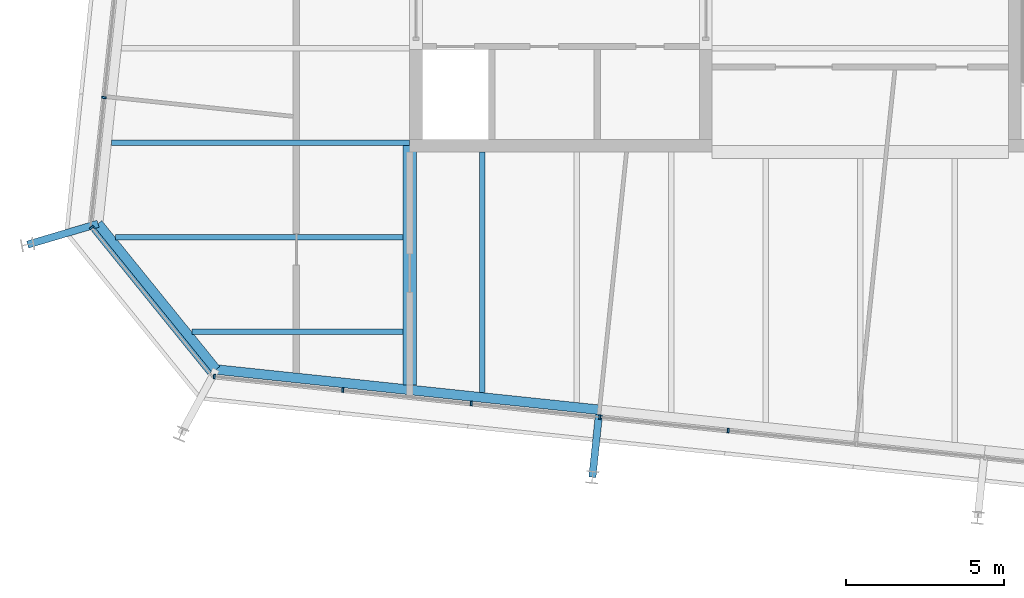
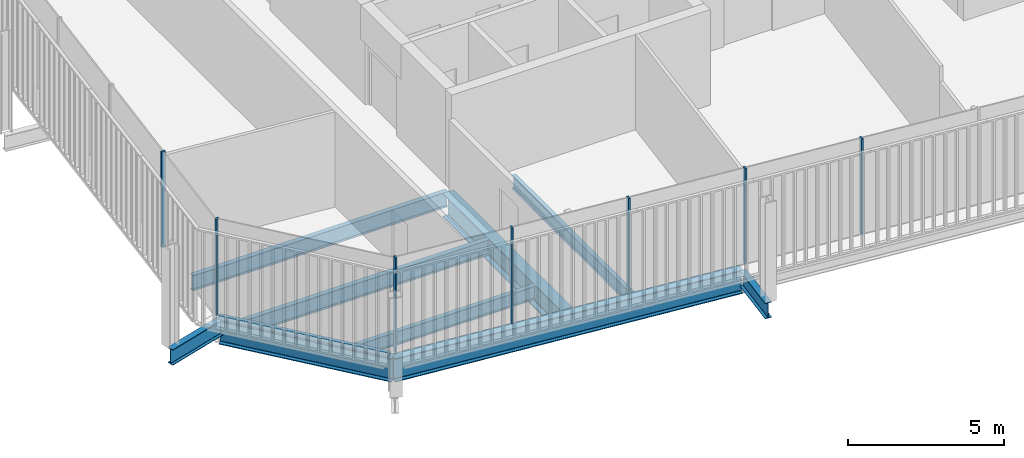
# One storey, part 3 of 20: 9 beams, 8 members, 3 elements without a shape of their own.
"""IFC4 building model written with IfcOpenShell, lengths in metres."""

from ifc_helpers import new_model, si_unit, direction, frame, origin, origin_2d, place, context, subcontext, project, spatial, rectangle, i_section, extrude, material, layer, layer_set, material_profile, profile_set, type_object, element, aggregate, save


model = new_model("IFC4")

# Units and contexts
model_context = context("Model", 3, precision=1e-05, world=origin(), true_north=direction((0.0, 1.0)))
body_context = subcontext(model_context, "Body", "Model", "MODEL_VIEW")
ifc_project = project(units=[si_unit("LENGTHUNIT", "METRE"), si_unit("AREAUNIT", "SQUARE_METRE"), si_unit("VOLUMEUNIT", "CUBIC_METRE"), si_unit("PLANEANGLEUNIT", "RADIAN"), si_unit("MASSUNIT", "GRAM", prefix="KILO")], contexts=[model_context])

# Site, building, storey
site_placement = place(None, origin())
site = spatial("IfcSite", under=ifc_project, at=site_placement, CompositionType="ELEMENT")
building_placement = place(site_placement, origin())
building = spatial("IfcBuilding", under=site, at=building_placement, Name="Millrace Tower", CompositionType="ELEMENT")
storey_placement = place(building_placement, frame((0.0, 0.0, 287.699951171875)))
storey = spatial("IfcBuildingStorey", under=building, at=storey_placement, Name="L66", CompositionType="ELEMENT", Elevation=287.699951171875)

# Curtain wall, member
ifc_material_1 = material(Name="Aluminium and glass", Category="aluminium")
ifc_layer = layer(ifc_material_1, 0.14990234375)
ifc_layer_set = layer_set([ifc_layer], Name="Aluminium and glass")
curtain_wall_type = type_object("IfcCurtainWallType", Name="CW-1 office vision curtain wall", PredefinedType="NOTDEFINED", material=ifc_layer_set)
placement = place(storey_placement, origin())
curtain_wall_1 = element("IfcCurtainWall", 1, at=placement, inside=storey, type_object=curtain_wall_type, Name="Curtain wall E-F01 L66", PredefinedType="NOTDEFINED")
ifc_material_2 = material(Name="Aluminium", Category="aluminium")
ifc_material_profile_1 = material_profile(ifc_material_2, rectangle(XDim=0.06494140625, YDim=0.14990234375, at=origin_2d()))
ifc_profile_set_1 = profile_set([ifc_material_profile_1], Name="Aluminium")
member_type_1 = type_object("IfcMemberType", Name="CW-1 office vision curtain wall mullion", PredefinedType="MULLION", material=ifc_profile_set_1)
member_1_placement = place(storey_placement, frame((-24.391845703125, -11.693359375, 0.14013671875), z_axis=(0.0, 0.0, 1.0), x_axis=(0.629320278945, -0.777146052237, 0.0)))
member_1 = element("IfcMember", 2, at=member_1_placement, type_object=member_type_1, Name="CW1 mullion E-F01.1", PredefinedType="MULLION", context=body_context, shape_type="SweptSolid", body=[
    extrude(rectangle(XDim=0.06494140625, YDim=0.14990234375, at=origin_2d()), origin(), (0.0, 0.0, 1.0), 3.760009765625),
])

# Curtain wall, members
curtain_wall_2 = element("IfcCurtainWall", 3, at=placement, inside=storey, type_object=curtain_wall_type, Name="Curtain wall E-F02 L66", PredefinedType="NOTDEFINED")
member_2_placement = place(storey_placement, frame((-20.50244140625, -16.4248046875, 0.14013671875), z_axis=(0.0, 0.0, 1.0), x_axis=(0.994521896217, -0.104528455196, 0.0)))
member_2 = element("IfcMember", 4, at=member_2_placement, type_object=member_type_1, Name="CW1 mullion E-F02.1", PredefinedType="MULLION", context=body_context, shape_type="SweptSolid", body=[
    extrude(rectangle(XDim=0.06494140625, YDim=0.14990234375, at=origin_2d()), origin(), (0.0, 0.0, 1.0), 3.760009765625),
])
member_3_placement = place(storey_placement, frame((-16.425048828125, -16.853271484375, 0.14013671875), z_axis=(0.0, 0.0, 1.0), x_axis=(0.994521896217, -0.104528455196, 0.0)))
member_3 = element("IfcMember", 5, at=member_3_placement, type_object=member_type_1, Name="CW1 mullion E-F02.2", PredefinedType="MULLION", context=body_context, shape_type="SweptSolid", body=[
    extrude(rectangle(XDim=0.06494140625, YDim=0.14990234375, at=origin_2d()), origin(), (0.0, 0.0, 1.0), 3.760009765625),
])
member_4_placement = place(storey_placement, frame((-12.347412109375, -17.281982421875, 0.14013671875), z_axis=(0.0, 0.0, 1.0), x_axis=(0.994521896217, -0.104528455196, 0.0)))
member_4 = element("IfcMember", 6, at=member_4_placement, type_object=member_type_1, Name="CW1 mullion E-F02.3", PredefinedType="MULLION", context=body_context, shape_type="SweptSolid", body=[
    extrude(rectangle(XDim=0.06494140625, YDim=0.14990234375, at=origin_2d()), origin(), (0.0, 0.0, 1.0), 3.760009765625),
])
member_5_placement = place(storey_placement, frame((-8.269775390625, -17.71044921875, 0.14013671875), z_axis=(0.0, 0.0, 1.0), x_axis=(0.994521896217, -0.104528455196, 0.0)))
member_5 = element("IfcMember", 7, at=member_5_placement, type_object=member_type_1, Name="CW1 mullion E-F02.4", PredefinedType="MULLION", context=body_context, shape_type="SweptSolid", body=[
    extrude(rectangle(XDim=0.06494140625, YDim=0.14990234375, at=origin_2d()), origin(), (0.0, 0.0, 1.0), 3.760009765625),
])
member_6_placement = place(storey_placement, frame((-4.1923828125, -18.13916015625, 0.14013671875), z_axis=(0.0, 0.0, 1.0), x_axis=(0.994521896217, -0.104528455196, 0.0)))
member_6 = element("IfcMember", 8, at=member_6_placement, type_object=member_type_1, Name="CW1 mullion E-F02.5", PredefinedType="MULLION", context=body_context, shape_type="SweptSolid", body=[
    extrude(rectangle(XDim=0.06494140625, YDim=0.14990234375, at=origin_2d()), origin(), (0.0, 0.0, 1.0), 3.760009765625),
])
aggregate(curtain_wall_2, [member_2, member_3, member_4, member_5, member_6])

# Curtain wall, member
curtain_wall_3 = element("IfcCurtainWall", 9, at=placement, inside=storey, type_object=curtain_wall_type, Name="Curtain wall E-F08 L66", PredefinedType="NOTDEFINED")
member_7_placement = place(storey_placement, frame((-24.00341796875, -7.56787109375, 0.14013671875), z_axis=(0.0, 0.0, 1.0), x_axis=(-0.104528455196, -0.994521896217, 0.0)))
member_7 = element("IfcMember", 10, at=member_7_placement, type_object=member_type_1, Name="CW1 mullion E-F08.9", PredefinedType="MULLION", context=body_context, shape_type="SweptSolid", body=[
    extrude(rectangle(XDim=0.06494140625, YDim=0.14990234375, at=origin_2d()), origin(), (0.0, 0.0, 1.0), 3.760009765625),
])
aggregate(curtain_wall_3, [member_7])

# Member
ifc_material_3 = material(Name="Aluminium", Category="aluminium")
ifc_material_profile_2 = material_profile(ifc_material_3, rectangle(XDim=0.14990234375, YDim=0.139892578125, at=origin_2d()))
ifc_profile_set_2 = profile_set([ifc_material_profile_2], Name="Aluminium")
member_type_2 = type_object("IfcMemberType", Name="CW-1 office vision curtain wall transom", PredefinedType="USERDEFINED", material=ifc_profile_set_2)
member_8_placement = place(storey_placement, frame((-24.349365234375, -11.745849609375, 0.070068359375), z_axis=(0.629321221277, -0.777145289151, 0.0), x_axis=(0.777145289151, 0.629321221277, 0.0)))
member_8 = element("IfcMember", 11, at=member_8_placement, type_object=member_type_2, Name="CW1 transom E-F01.1", ObjectType="TRANSOM", PredefinedType="USERDEFINED", context=body_context, shape_type="SweptSolid", body=[
    extrude(rectangle(XDim=0.14990234375, YDim=0.139892578125, at=origin_2d()), origin(), (0.0, 0.0, 1.0), 5.881103515625),
])

aggregate(curtain_wall_1, [member_1, member_8])

# Beams
ifc_material_4 = material(Name="Steel ASTM A992 Grade 50", Category="steel")
ifc_material_profile_3 = material_profile(ifc_material_4, i_section(OverallWidth=0.1650390625, OverallDepth=0.52587890625, WebThickness=0.0087890625, FlangeThickness=0.011474609375, FilletRadius=0.0126953125, at=origin_2d()))
ifc_profile_set_3 = profile_set([ifc_material_profile_3], Name="Steel ASTM A992 Grade 50")
beam_type_1 = type_object("IfcBeamType", Name="Floor beam W21x44", PredefinedType="JOIST", material=ifc_profile_set_3)
beam_1_placement = place(storey_placement, frame((-12.0, -16.93408203125, -0.4228515625), z_axis=(0.0, 1.0, 0.0), x_axis=(-1.0, 0.0, 0.0)))
element("IfcBeam", 12, at=beam_1_placement, inside=storey, type_object=beam_type_1, Name="BM-E-L66-S1-S037", PredefinedType="JOIST", context=body_context, shape_type="SweptSolid", body=[
    extrude(i_section(OverallWidth=0.1650390625, OverallDepth=0.52587890625, WebThickness=0.0087890625, FlangeThickness=0.011474609375, FilletRadius=0.0126953125, at=origin_2d()), origin(), (0.0, 0.0, 1.0), 7.634033203125),
])
beam_2_placement = place(storey_placement, frame((-21.214111328125, -15.0, -0.4228515625), z_axis=(1.0, 0.0, 0.0), x_axis=(0.0, 1.0, 0.0)))
element("IfcBeam", 13, at=beam_2_placement, inside=storey, type_object=beam_type_1, Name="BM-E-L66-S1-S002", PredefinedType="JOIST", context=body_context, shape_type="SweptSolid", body=[
    extrude(i_section(OverallWidth=0.1650390625, OverallDepth=0.52587890625, WebThickness=0.0087890625, FlangeThickness=0.011474609375, FilletRadius=0.0126953125, at=origin_2d()), origin(), (0.0, 0.0, 1.0), 6.70458984375),
])
ifc_material_5 = material(Name="Steel ASTM A992 Grade 50", Category="steel")
ifc_material_profile_4 = material_profile(ifc_material_5, i_section(OverallWidth=0.177978515625, OverallDepth=0.599365234375, WebThickness=0.010009765625, FlangeThickness=0.012939453125, FilletRadius=0.012939453125, at=origin_2d()))
ifc_profile_set_4 = profile_set([ifc_material_profile_4], Name="Steel ASTM A992 Grade 50")
beam_type_2 = type_object("IfcBeamType", Name="Floor beam W24x55", PredefinedType="JOIST", material=ifc_profile_set_4)
beam_3_placement = place(storey_placement, frame((-23.76953125, -9.0, -0.459716796875), z_axis=(1.0, 0.0, 0.0), x_axis=(0.0, 1.0, 0.0)))
element("IfcBeam", 14, at=beam_3_placement, inside=storey, type_object=beam_type_2, Name="BM-E-L66-S1-S006", PredefinedType="JOIST", context=body_context, shape_type="SweptSolid", body=[
    extrude(i_section(OverallWidth=0.177978515625, OverallDepth=0.599365234375, WebThickness=0.010009765625, FlangeThickness=0.012939453125, FilletRadius=0.012939453125, at=origin_2d()), origin(), (0.0, 0.0, 1.0), 9.469482421875),
])
beam_4_placement = place(storey_placement, frame((-23.635498046875, -12.0, -0.459716796875), z_axis=(1.0, 0.0, 0.0), x_axis=(0.0, 1.0, 0.0)))
element("IfcBeam", 15, at=beam_4_placement, inside=storey, type_object=beam_type_2, Name="BM-E-L66-S1-S004", PredefinedType="JOIST", context=body_context, shape_type="SweptSolid", body=[
    extrude(i_section(OverallWidth=0.177978515625, OverallDepth=0.599365234375, WebThickness=0.010009765625, FlangeThickness=0.012939453125, FilletRadius=0.012939453125, at=origin_2d()), origin(), (0.0, 0.0, 1.0), 9.1259765625),
])
ifc_material_6 = material(Name="Steel ASTM A992 Grade 50", Category="steel")
ifc_material_profile_5 = material_profile(ifc_material_6, i_section(OverallWidth=0.419189453125, OverallDepth=0.927001953125, WebThickness=0.019287109375, FlangeThickness=0.031982421875, FilletRadius=0.024169921875, at=origin_2d()))
ifc_profile_set_5 = profile_set([ifc_material_profile_5], Name="Steel ASTM A992 Grade 50")
beam_type_3 = type_object("IfcBeamType", Name="Girder short span W36x231", PredefinedType="BEAM", material=ifc_profile_set_5)
beam_5_placement = place(storey_placement, frame((-14.300048828125, -16.6923828125, -0.62353515625), z_axis=(0.0, 1.0, 0.0), x_axis=(-1.0, 0.0, 0.0)))
element("IfcBeam", 16, at=beam_5_placement, inside=storey, type_object=beam_type_3, Name="BM-E-L66-S1-G055", PredefinedType="BEAM", context=body_context, shape_type="SweptSolid", body=[
    extrude(i_section(OverallWidth=0.419189453125, OverallDepth=0.927001953125, WebThickness=0.019287109375, FlangeThickness=0.031982421875, FilletRadius=0.024169921875, at=origin_2d()), origin(), (0.0, 0.0, 1.0), 7.600341796875),
])
ifc_material_7 = material(Name="Steel ASTM A992 Grade 50", Category="steel")
ifc_material_profile_6 = material_profile(ifc_material_7, i_section(OverallWidth=0.23046875, OverallDepth=0.6171875, WebThickness=0.01318359375, FlangeThickness=0.022216796875, FilletRadius=0.012939453125, at=origin_2d()))
ifc_profile_set_6 = profile_set([ifc_material_profile_6], Name="Steel ASTM A992 Grade 50")
beam_type_4 = type_object("IfcBeamType", Name="Link beam W24x94", PredefinedType="BEAM", material=ifc_profile_set_6)
beam_6_placement = place(storey_placement, frame((-24.1943359375, -11.57373046875, -0.468505859375), z_axis=(-0.958815015936, -0.284031275065, 0.0), x_axis=(0.284031275065, -0.958815015936, 0.0)))
element("IfcBeam", 17, at=beam_6_placement, inside=storey, type_object=beam_type_4, Name="LNK-E-L66-S1-01", PredefinedType="BEAM", context=body_context, shape_type="SweptSolid", body=[
    extrude(i_section(OverallWidth=0.23046875, OverallDepth=0.6171875, WebThickness=0.01318359375, FlangeThickness=0.022216796875, FilletRadius=0.012939453125, at=origin_2d()), origin(), (0.0, 0.0, 1.0), 2.3310546875),
])
beam_7_placement = place(storey_placement, frame((-8.29443359375, -17.632568359375, -0.468505859375), z_axis=(-0.104494148666, -0.99452550138, 0.0), x_axis=(0.99452550138, -0.104494148666, 0.0)))
element("IfcBeam", 18, at=beam_7_placement, inside=storey, type_object=beam_type_4, Name="LNK-E-L66-S1-15", PredefinedType="BEAM", context=body_context, shape_type="SweptSolid", body=[
    extrude(i_section(OverallWidth=0.23046875, OverallDepth=0.6171875, WebThickness=0.01318359375, FlangeThickness=0.022216796875, FilletRadius=0.012939453125, at=origin_2d()), origin(), (0.0, 0.0, 1.0), 2.0),
])
ifc_material_8 = material(Name="Steel ASTM A992 Grade 50", Category="steel")
ifc_material_profile_7 = material_profile(ifc_material_8, i_section(OverallWidth=0.307373046875, OverallDepth=0.927001953125, WebThickness=0.01953125, FlangeThickness=0.031982421875, FilletRadius=0.01904296875, at=origin_2d()))
ifc_profile_set_7 = profile_set([ifc_material_profile_7], Name="Steel ASTM A992 Grade 50")
beam_type_5 = type_object("IfcBeamType", Name="Ring beam medium span W36x194", PredefinedType="SPANDREL", material=ifc_profile_set_7)
beam_8_placement = place(storey_placement, frame((-8.2783203125, -17.479736328125, -0.62353515625), z_axis=(-0.994521730693, 0.104530030035, 0.0), x_axis=(-0.104530030035, -0.994521730693, 0.0)))
element("IfcBeam", 19, at=beam_8_placement, inside=storey, type_object=beam_type_5, Name="RNG-E-L66-S1-15", PredefinedType="SPANDREL", context=body_context, shape_type="SweptSolid", body=[
    extrude(i_section(OverallWidth=0.307373046875, OverallDepth=0.927001953125, WebThickness=0.01953125, FlangeThickness=0.031982421875, FilletRadius=0.01904296875, at=origin_2d()), origin(), (0.0, 0.0, 1.0), 12.236328125),
])
ifc_material_9 = material(Name="Steel ASTM A992 Grade 50", Category="steel")
ifc_material_profile_8 = material_profile(ifc_material_9, i_section(OverallWidth=0.307373046875, OverallDepth=0.927001953125, WebThickness=0.01953125, FlangeThickness=0.031982421875, FilletRadius=0.01904296875, at=origin_2d()))
ifc_profile_set_8 = profile_set([ifc_material_profile_8], Name="Steel ASTM A992 Grade 50")
beam_type_6 = type_object("IfcBeamType", Name="Ring beam short span W36x194", PredefinedType="SPANDREL", material=ifc_profile_set_8)
beam_9_placement = place(storey_placement, frame((-20.447509765625, -16.20068359375, -0.62353515625), z_axis=(-0.629319722443, 0.777146502883, 0.0), x_axis=(-0.777146502883, -0.629319722443, 0.0)))
element("IfcBeam", 20, at=beam_9_placement, inside=storey, type_object=beam_type_6, Name="RNG-E-L66-S1-16", PredefinedType="SPANDREL", context=body_context, shape_type="SweptSolid", body=[
    extrude(i_section(OverallWidth=0.307373046875, OverallDepth=0.927001953125, WebThickness=0.01953125, FlangeThickness=0.031982421875, FilletRadius=0.01904296875, at=origin_2d()), origin(), (0.0, 0.0, 1.0), 5.953857421875),
])

save(model, "model.ifc")
